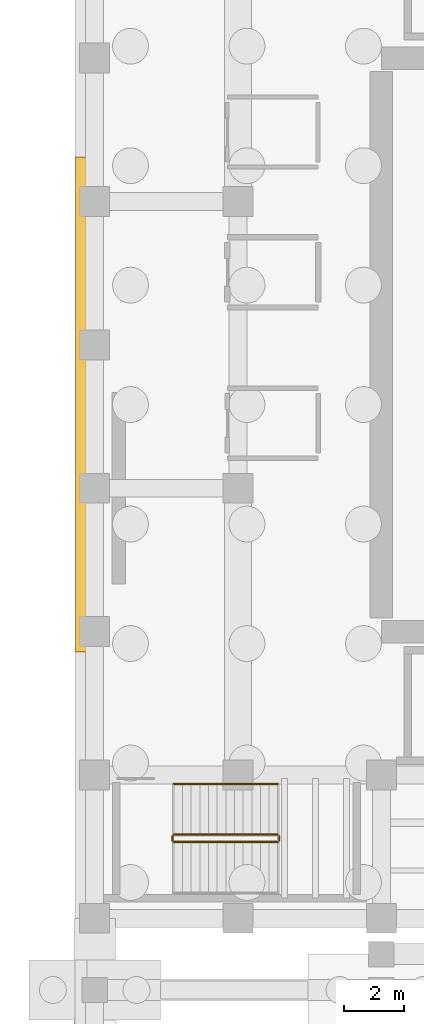
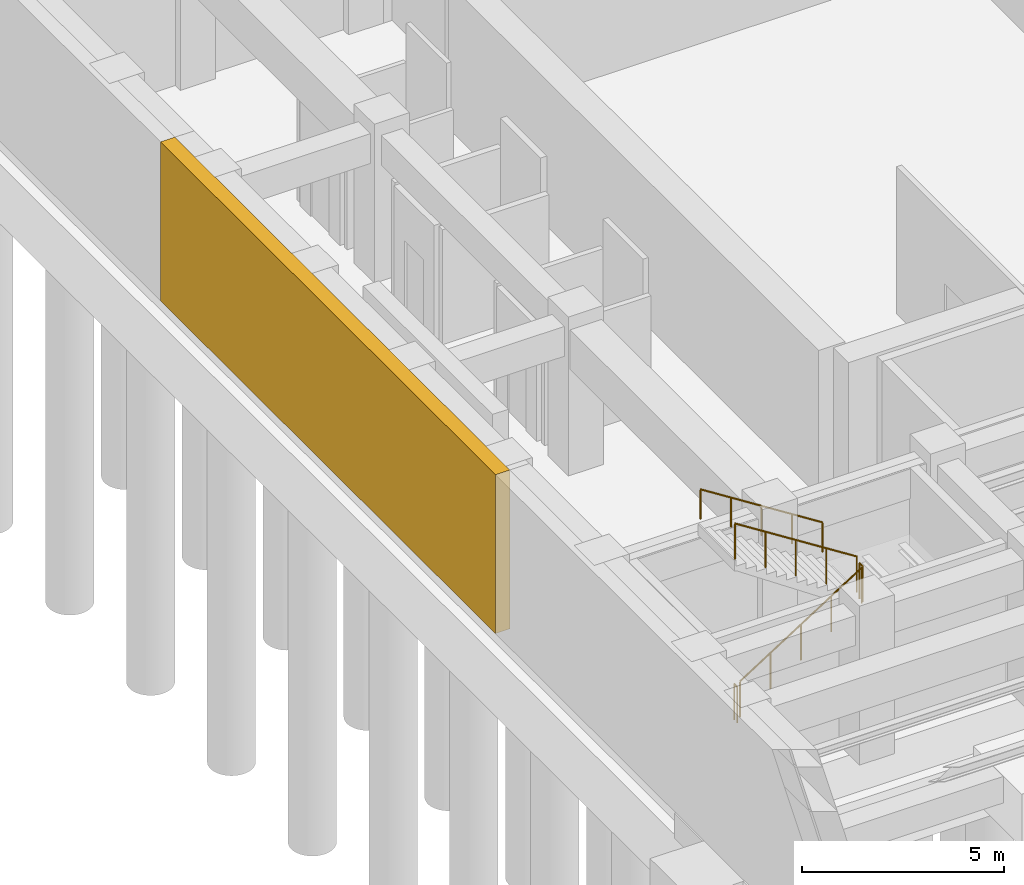
# One storey, part 45 of 56: 5 railings, 1 covering.
"""IFC4 building model written with IfcOpenShell, lengths in metres."""

from ifc_helpers import new_model, si_unit, direction, frame, origin, origin_2d, place, context, subcontext, project, spatial, polyline, circle, outline, extrude, material, layer, layer_set, type_object, element, save


model = new_model("IFC4")

# Units and contexts
model_context = context("Model", 3, precision=1e-05, world=origin(), true_north=direction((0.0, 1.0)))
body_context = subcontext(model_context, "Body", "Model", "MODEL_VIEW")
ifc_project = project(units=[si_unit("LENGTHUNIT", "METRE"), si_unit("AREAUNIT", "SQUARE_METRE"), si_unit("VOLUMEUNIT", "CUBIC_METRE"), si_unit("PLANEANGLEUNIT", "RADIAN"), si_unit("MASSUNIT", "GRAM", prefix="KILO")], contexts=[model_context])

# Site, building, storey
site_placement = place(None, origin())
site = spatial("IfcSite", under=ifc_project, at=site_placement, CompositionType="ELEMENT")
building_placement = place(site_placement, origin())
building = spatial("IfcBuilding", under=site, at=building_placement, Name="Mavantir Sound Aquarium", CompositionType="ELEMENT")
storey_placement = place(building_placement, frame((0.0, 0.0, -9.60009765625)))
storey = spatial("IfcBuildingStorey", under=building, at=storey_placement, Name="B2", CompositionType="ELEMENT", Elevation=-9.60009765625)

# Covering
ifc_material_1 = material(Name="Honed Coral-Limestone & Glazed Terracotta Rainscreen Cladding", Category="masonry")
ifc_layer = layer(ifc_material_1, 0.06005859375, Name="Honed Coral-Limestone & Glazed Terracotta Rainscreen Cladding")
ifc_layer_set = layer_set([ifc_layer], Name="Honed Coral-Limestone & Glazed Terracotta Rainscreen Cladding")
covering_type = type_object("IfcCoveringType", Name="COV-CLAD-TC", PredefinedType="CLADDING", material=ifc_layer_set)
covering_placement = place(storey_placement, origin())
element("IfcCovering", 1, at=covering_placement, inside=storey, type_object=covering_type, Name="B2 rusticated coral-stone plinth cladding 39", PredefinedType="CLADDING", context=body_context, shape_type="SweptSolid", body=[
    extrude(outline(polyline([(-0.25, 66.28564453125), (-0.25, 49.71435546875), (-0.659912109375, 49.71435546875), (-0.659912109375, 66.28564453125), (-0.25, 66.28564453125)])), origin(), (0.0, 0.0, 1.0), 4.800048828125),
])

# Railings
ifc_material_2 = material(Name="Stainless Steel 316 and Laminated Glass Guardrail", Category="steel")
railing_type_1 = type_object("IfcRailingType", Name="RL-GUARD-110", PredefinedType="GUARDRAIL", material=ifc_material_2)
railing_1_placement = place(storey_placement, frame((2.64990234375, 43.35009765625, 0.184814453125)))
element("IfcRailing", 2, at=railing_1_placement, inside=storey, type_object=railing_type_1, Name="B2 ST1 stair guard 1", PredefinedType="GUARDRAIL", context=body_context, shape_type="SweptSolid", body=[
    extrude(circle(Radius=0.02392578125, at=origin_2d()), frame((0.0, 0.0, 1.076171875), z_axis=(0.843573748531, 0.0, 0.537013343214), x_axis=(0.0, 1.0, 0.0)), (0.0, 0.0, 1.0), 4.125244140625),
    extrude(circle(Radius=0.02099609375, at=origin_2d()), origin(), (0.0, 0.0, 1.0), 1.052001953125),
    extrude(circle(Radius=0.02099609375, at=origin_2d()), frame((0.8701171875, 0.0, 0.5537109375)), (0.0, 0.0, 1.0), 1.052001953125),
    extrude(circle(Radius=0.02099609375, at=origin_2d()), frame((1.739990234375, 0.0, 1.107666015625)), (0.0, 0.0, 1.0), 1.052001953125),
    extrude(circle(Radius=0.02099609375, at=origin_2d()), frame((2.60986328125, 0.0, 1.66162109375)), (0.0, 0.0, 1.0), 1.052001953125),
    extrude(circle(Radius=0.02099609375, at=origin_2d()), frame((3.47998046875, 0.0, 2.21533203125)), (0.0, 0.0, 1.0), 1.052001953125),
])
railing_2_placement = place(storey_placement, frame((6.179931640625, 43.39990234375, 2.400146484375)))
element("IfcRailing", 3, at=railing_2_placement, inside=storey, type_object=railing_type_1, Name="B2 ST1 stair guard 2", PredefinedType="GUARDRAIL", context=body_context, shape_type="SweptSolid", body=[
    extrude(circle(Radius=0.02392578125, at=origin_2d()), frame((0.0, 0.0, 1.076171875), z_axis=(0.0, 1.0, 0.0), x_axis=(-1.0, 0.0, 0.0)), (0.0, 0.0, 1.0), 0.150146484375),
    extrude(circle(Radius=0.02099609375, at=origin_2d()), origin(), (0.0, 0.0, 1.0), 1.052001953125),
    extrude(circle(Radius=0.02099609375, at=origin_2d()), frame((0.0, 0.150146484375, 0.0)), (0.0, 0.0, 1.0), 1.052001953125),
])
railing_3_placement = place(storey_placement, frame((6.1298828125, 43.60009765625, 2.584716796875)))
element("IfcRailing", 4, at=railing_3_placement, inside=storey, type_object=railing_type_1, Name="B2 ST1 stair guard 3", PredefinedType="GUARDRAIL", context=body_context, shape_type="SweptSolid", body=[
    extrude(circle(Radius=0.02392578125, at=origin_2d()), frame((0.0, 0.0, 1.076171875), z_axis=(-0.843573748531, 0.0, 0.537013343214), x_axis=(0.0, -1.0, 0.0)), (0.0, 0.0, 1.0), 4.125244140625),
    extrude(circle(Radius=0.02099609375, at=origin_2d()), origin(), (0.0, 0.0, 1.0), 1.052001953125),
    extrude(circle(Radius=0.02099609375, at=origin_2d()), frame((-0.8701171875, 0.0, 0.5537109375)), (0.0, 0.0, 1.0), 1.052001953125),
    extrude(circle(Radius=0.02099609375, at=origin_2d()), frame((-1.739990234375, 0.0, 1.107666015625)), (0.0, 0.0, 1.0), 1.052001953125),
    extrude(circle(Radius=0.02099609375, at=origin_2d()), frame((-2.60986328125, 0.0, 1.66162109375)), (0.0, 0.0, 1.0), 1.052001953125),
    extrude(circle(Radius=0.02099609375, at=origin_2d()), frame((-3.47998046875, 0.0, 2.21533203125)), (0.0, 0.0, 1.0), 1.052001953125),
])
railing_4_placement = place(storey_placement, frame((2.60009765625, 43.39990234375, 0.0)))
element("IfcRailing", 5, at=railing_4_placement, inside=storey, type_object=railing_type_1, Name="B2 ST1 stair guard 4", PredefinedType="GUARDRAIL", context=body_context, shape_type="SweptSolid", body=[
    extrude(circle(Radius=0.02392578125, at=origin_2d()), frame((0.0, 0.0, 1.076171875), z_axis=(0.0, 1.0, 0.0), x_axis=(-1.0, 0.0, 0.0)), (0.0, 0.0, 1.0), 0.150146484375),
    extrude(circle(Radius=0.02099609375, at=origin_2d()), origin(), (0.0, 0.0, 1.0), 1.052001953125),
    extrude(circle(Radius=0.02099609375, at=origin_2d()), frame((0.0, 0.150146484375, 0.0)), (0.0, 0.0, 1.0), 1.052001953125),
])
ifc_material_3 = material(Name="Brushed Stainless Steel 316 Handrail", Category="steel")
railing_type_2 = type_object("IfcRailingType", Name="RL-HR-90", PredefinedType="HANDRAIL", material=ifc_material_3)
railing_5_placement = place(storey_placement, frame((6.1298828125, 45.300048828125, 2.769775390625)))
element("IfcRailing", 6, at=railing_5_placement, inside=storey, type_object=railing_type_2, Name="B2 ST1 stair handrail 2", PredefinedType="HANDRAIL", context=body_context, shape_type="SweptSolid", body=[
    extrude(circle(Radius=0.02392578125, at=origin_2d()), frame((0.0, 0.0, 0.89111328125), z_axis=(-0.843573748531, 0.0, 0.537013343214), x_axis=(0.0, -1.0, 0.0)), (0.0, 0.0, 1.0), 4.125244140625),
    extrude(circle(Radius=0.02099609375, at=origin_2d()), origin(), (0.0, 0.0, 1.0), 0.866943359375),
    extrude(circle(Radius=0.02099609375, at=origin_2d()), frame((-0.8701171875, 0.0, 0.5537109375)), (0.0, 0.0, 1.0), 0.866943359375),
    extrude(circle(Radius=0.02099609375, at=origin_2d()), frame((-1.739990234375, 0.0, 1.107666015625)), (0.0, 0.0, 1.0), 0.866943359375),
    extrude(circle(Radius=0.02099609375, at=origin_2d()), frame((-2.60986328125, 0.0, 1.66162109375)), (0.0, 0.0, 1.0), 0.866943359375),
    extrude(circle(Radius=0.02099609375, at=origin_2d()), frame((-3.47998046875, 0.0, 2.21533203125)), (0.0, 0.0, 1.0), 0.866943359375),
])

save(model, "model.ifc")
